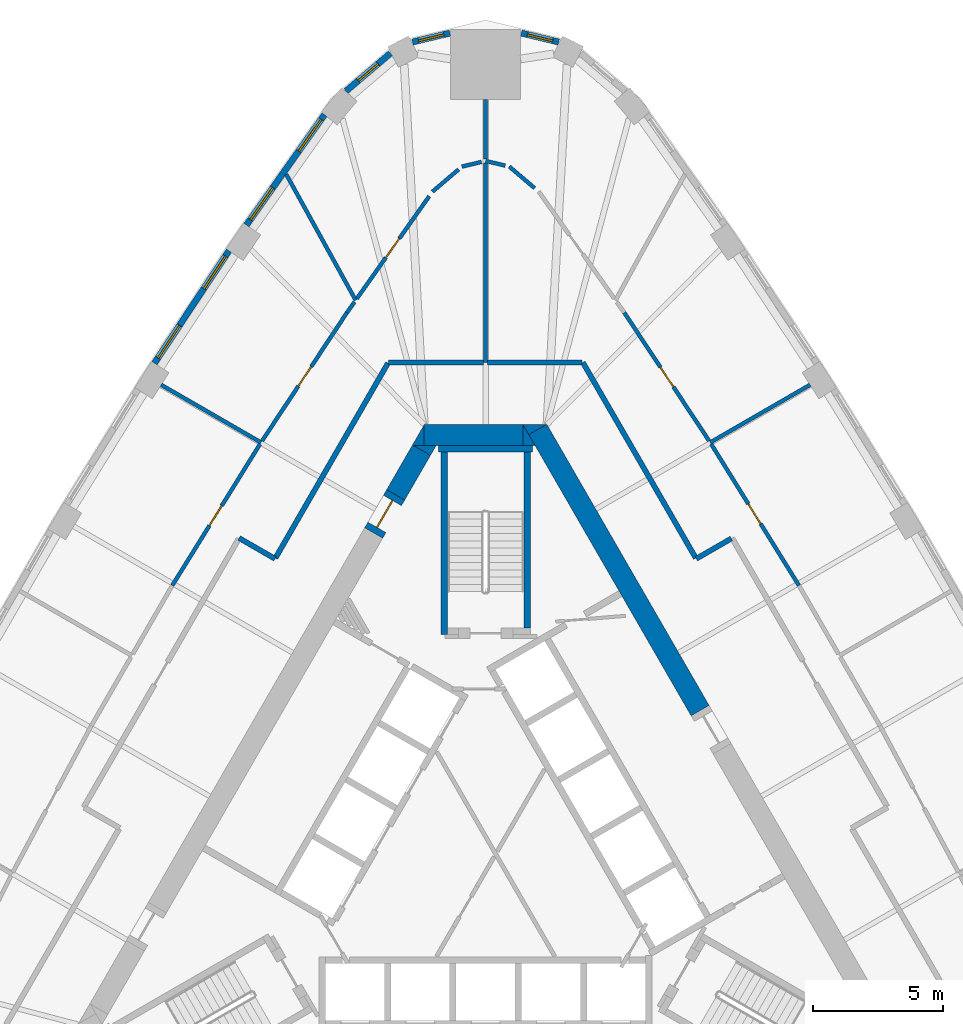
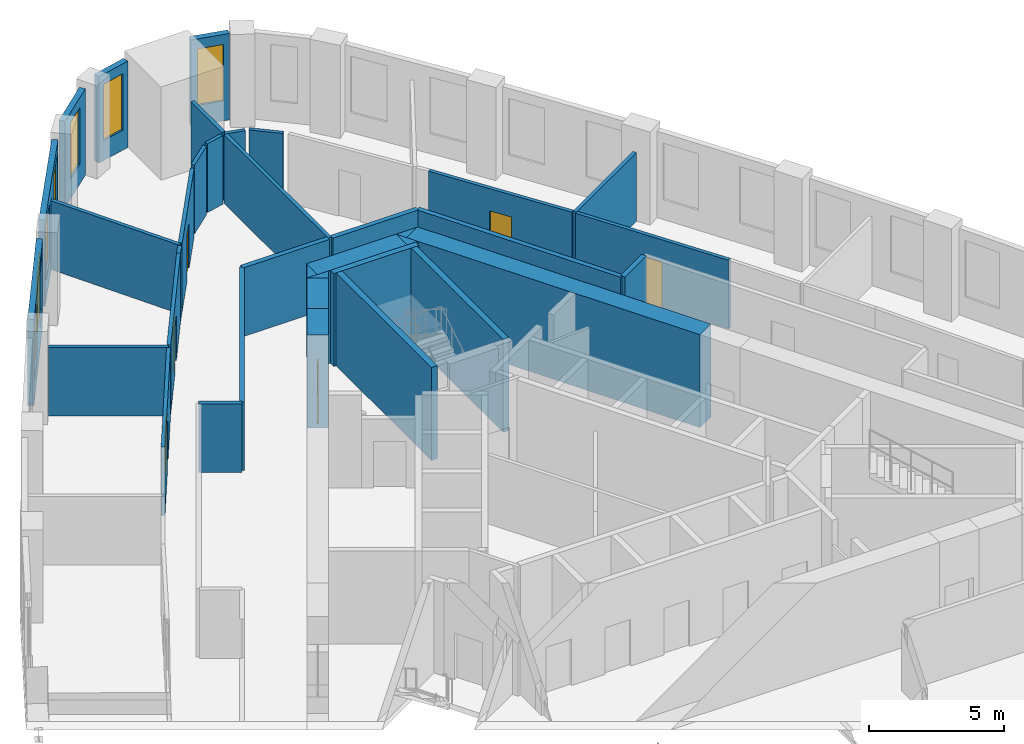
# One storey, part 8 of 10: 37 walls, 7 windows, 6 doors, 13 openings.
"""IFC4 building model written with IfcOpenShell, lengths in metres."""

import ifcopenshell
import ifcopenshell.guid

model = None  # the IFC model being written
_history = None  # IfcOwnerHistory: only IFC2X3 demands one
_inside = {}  # id of a spatial element -> (the spatial element, [elements in it])
_under = {}  # id of a project, library or spatial element -> (it, [spatial elements below it])
_declared = {}  # id of a project -> (the project, [libraries it declares])
_typed = {}  # id of a type object -> (the type object, [elements of that type])
_made_of = {}  # id of a material, layer set ... -> (it, [elements and type objects made of it])


def new_model(schema):
    """Start an empty IFC model of exactly this schema.

    Asked for "IFC4X3", IfcOpenShell would pick the latest addendum, in which some entities
    have other attributes; the version numbers below select the first issue.
    IFC2X3 requires an IfcOwnerHistory on every rooted entity: one is made here for all.
    """
    global model, _history
    if schema == "IFC4X3":
        model = ifcopenshell.file(schema_version=(4, 3, 0, 0))
    else:
        model = ifcopenshell.file(schema=schema)
    _inside.clear()
    _under.clear()
    _declared.clear()
    _typed.clear()
    _made_of.clear()
    _history = None
    if model.schema == "IFC2X3":
        org = make("IfcOrganization", Name="unknown")
        user = make(
            "IfcPersonAndOrganization",
            ThePerson=make("IfcPerson", FamilyName="unknown"),
            TheOrganization=org,
        )
        app = make(
            "IfcApplication",
            ApplicationDeveloper=org,
            Version="unknown",
            ApplicationFullName="unknown",
            ApplicationIdentifier="unknown",
        )
        _history = make(
            "IfcOwnerHistory",
            OwningUser=user,
            OwningApplication=app,
            ChangeAction="ADDED",
            CreationDate=0,
        )
    return model


def make(cls, **values):
    """One entity of the class cls with the attributes given. An attribute that is None is left unset."""
    return model.create_entity(
        cls, **{name: value for name, value in values.items() if value is not None}
    )


def rooted(cls, **values):
    """An entity with a GlobalId (a new one), such as an element, a storey or a relation."""
    return make(cls, GlobalId=ifcopenshell.guid.new(), OwnerHistory=_history, **values)


def si_unit(unit_type, name, prefix=None):
    """IfcSIUnit, for example si_unit("LENGTHUNIT", "METRE", prefix="MILLI")."""
    return make("IfcSIUnit", UnitType=unit_type, Prefix=prefix, Name=name)


def assignment(units):
    """IfcUnitAssignment: the units of a project."""
    return None if units is None else make("IfcUnitAssignment", Units=units)


def point(xyz):
    """IfcCartesianPoint."""
    return None if xyz is None else make("IfcCartesianPoint", Coordinates=xyz)


def direction(xyz):
    """IfcDirection."""
    return None if xyz is None else make("IfcDirection", DirectionRatios=xyz)


def frame(location, z_axis=None, x_axis=None):
    """IfcAxis2Placement3D, a coordinate frame: its origin and axes. An axis left out is left unset."""
    return make(
        "IfcAxis2Placement3D",
        Location=point(location),
        Axis=direction(z_axis),
        RefDirection=direction(x_axis),
    )


def frame_2d(location, x_axis=None):
    """IfcAxis2Placement2D, a coordinate frame in the plane: its origin and x axis."""
    return make(
        "IfcAxis2Placement2D", Location=point(location), RefDirection=direction(x_axis)
    )


def origin():
    """The frame at (0, 0, 0) with its axes left unset."""
    return frame((0.0, 0.0, 0.0))


def place(relative_to, where):
    """IfcLocalPlacement: puts the frame where relative to a parent placement (None: the world)."""
    return make(
        "IfcLocalPlacement", PlacementRelTo=relative_to, RelativePlacement=where
    )


def context(
    kind, dimensions, precision=None, world=None, true_north=None, identifier=None
):
    """IfcGeometricRepresentationContext, for example the 3D "Model" context."""
    return make(
        "IfcGeometricRepresentationContext",
        ContextIdentifier=identifier,
        ContextType=kind,
        CoordinateSpaceDimension=dimensions,
        Precision=precision,
        WorldCoordinateSystem=world,
        TrueNorth=true_north,
    )


def subcontext(parent, identifier, kind, view, scale=None):
    """IfcGeometricRepresentationSubContext, for example "Body" below "Model"."""
    return make(
        "IfcGeometricRepresentationSubContext",
        ContextIdentifier=identifier,
        ContextType=kind,
        ParentContext=parent,
        TargetScale=scale,
        TargetView=view,
    )


def project(units=None, contexts=None):
    """IfcProject with its units and contexts."""
    return rooted(
        "IfcProject",
        Name="project",
        RepresentationContexts=contexts,
        UnitsInContext=assignment(units),
    )


def spatial(cls, under=None, at=None, **own):
    """A site, building, storey or space (cls), placed at a placement, below another one or the project."""
    s = rooted(cls, ObjectPlacement=at, **own)
    if under is not None:
        _under.setdefault(under.id(), (under, []))[1].append(s)
    return s


def polyline(points):
    """IfcPolyline through the points."""
    return make("IfcPolyline", Points=[point(p) for p in points])


def profile(cls, at=None, kind="AREA", **sizes):
    """A parametric profile (cls). Its sizes go by their IFC names, for example OverallWidth=200.0."""
    return make(cls, ProfileType=kind, Position=at, **sizes)


def rectangle(**sizes):
    """IfcRectangleProfileDef."""
    return profile("IfcRectangleProfileDef", **sizes)


def outline(outer, holes=None, kind="AREA"):
    """IfcArbitraryClosedProfileDef: a profile drawn as a closed curve; with holes, ...WithVoids."""
    if holes is None:
        return make("IfcArbitraryClosedProfileDef", ProfileType=kind, OuterCurve=outer)
    return make(
        "IfcArbitraryProfileDefWithVoids",
        ProfileType=kind,
        OuterCurve=outer,
        InnerCurves=holes,
    )


def extrude(swept, where, along, depth):
    """IfcExtrudedAreaSolid: the profile swept, set in the frame where, extruded along a direction by depth."""
    return make(
        "IfcExtrudedAreaSolid",
        SweptArea=swept,
        Position=where,
        ExtrudedDirection=direction(along),
        Depth=depth,
    )


def shape(context_of_items, identifier, shape_type, items):
    """IfcShapeRepresentation: the items that make up one representation, for example the "Body"."""
    return make(
        "IfcShapeRepresentation",
        ContextOfItems=context_of_items,
        RepresentationIdentifier=identifier,
        RepresentationType=shape_type,
        Items=items,
    )


def material(Name=None, Category=None):
    """IfcMaterial."""
    return make("IfcMaterial", Name=Name, Category=Category)


def layer(
    of_material, thickness, ventilated=None, Name=None, Category=None, Priority=None
):
    """IfcMaterialLayer: one layer of a wall or slab, of a material (None: an air gap)."""
    return make(
        "IfcMaterialLayer",
        Material=of_material,
        LayerThickness=thickness,
        IsVentilated=ventilated,
        Name=Name,
        Category=Category,
        Priority=Priority,
    )


def layer_set(layers, Name=None):
    """IfcMaterialLayerSet."""
    return make("IfcMaterialLayerSet", MaterialLayers=layers, LayerSetName=Name)


def made_of(thing, what):
    """Note that an element or type object is made of a material, layer set ...; save() writes the relation."""
    if what is not None:
        _made_of.setdefault(what.id(), (what, []))[1].append(thing)
    return thing


def type_object(cls, material=None, **own):
    """A type object (cls), such as IfcWallType, which elements share."""
    return made_of(rooted(cls, **own), material)


def element(
    cls,
    number,
    at=None,
    inside=None,
    cuts=None,
    type_object=None,
    material=None,
    context=None,
    identifier="Body",
    shape_type=None,
    held_by="IfcProductDefinitionShape",
    body=None,
    shapes=None,
    **own,
):
    """One element of the class cls, such as IfcWall. Its Tag is "e" and its number.

    at: its placement. inside: the storey or other place that contains it. cuts: it is an
    opening in that element (IfcRelVoidsElement). A single representation is given by context,
    identifier, shape_type and body (its items); several are given by shapes. held_by: the class
    of the entity that holds the representations. save() writes the other relations.
    """
    e = rooted(cls, Tag="e%d" % number, ObjectPlacement=at, **own)
    if body is not None:
        shapes = [shape(context, identifier, shape_type, body)]
    if shapes is not None:
        e.Representation = make(held_by, Representations=shapes)
    if inside is not None:
        _inside.setdefault(inside.id(), (inside, []))[1].append(e)
    if cuts is not None:
        rooted(
            "IfcRelVoidsElement", RelatingBuildingElement=cuts, RelatedOpeningElement=e
        )
    if type_object is not None:
        _typed.setdefault(type_object.id(), (type_object, []))[1].append(e)
    return made_of(e, material)


def fill(opening, filler):
    """IfcRelFillsElement: the door or window that sits in an opening."""
    return rooted(
        "IfcRelFillsElement",
        RelatingOpeningElement=opening,
        RelatedBuildingElement=filler,
    )


def aggregate(whole, parts):
    """IfcRelAggregates: a whole, such as a stair, and the parts it consists of."""
    return rooted("IfcRelAggregates", RelatingObject=whole, RelatedObjects=parts)


def save(model, path):
    """Write the relations noted so far, then the file.

    IfcRelAggregates (storeys below a building ...), IfcRelContainedInSpatialStructure (elements
    in a storey), IfcRelDefinesByType, IfcRelAssociatesMaterial and IfcRelDeclares: one each for
    every whole, place, type object, material and project.
    """
    for whole, parts in _under.values():
        aggregate(whole, parts)
    for where, things in _inside.values():
        rooted(
            "IfcRelContainedInSpatialStructure",
            RelatedElements=things,
            RelatingStructure=where,
        )
    for kind, things in _typed.values():
        rooted("IfcRelDefinesByType", RelatedObjects=things, RelatingType=kind)
    for what, things in _made_of.values():
        rooted("IfcRelAssociatesMaterial", RelatedObjects=things, RelatingMaterial=what)
    for by, libraries in _declared.values():
        rooted("IfcRelDeclares", RelatingContext=by, RelatedDefinitions=libraries)
    model.write(path)


model = new_model("IFC4")

# Units and contexts
model_context = context("Model", 3, precision=1e-05, world=origin(), true_north=direction((0.0, 1.0)))
body_context = subcontext(model_context, "Body", "Model", "MODEL_VIEW")
ifc_project = project(units=[si_unit("LENGTHUNIT", "METRE"), si_unit("AREAUNIT", "SQUARE_METRE"), si_unit("VOLUMEUNIT", "CUBIC_METRE"), si_unit("PLANEANGLEUNIT", "RADIAN"), si_unit("MASSUNIT", "GRAM", prefix="KILO")], contexts=[model_context])

# Site, building, storey
site_placement = place(None, origin())
site = spatial("IfcSite", under=ifc_project, at=site_placement, CompositionType="ELEMENT")
building_placement = place(site_placement, origin())
building = spatial("IfcBuilding", under=site, at=building_placement, Name="Mestral Congress Tower", CompositionType="ELEMENT")
storey_placement = place(building_placement, frame((0.0, 0.0, 192.0)))
storey = spatial("IfcBuildingStorey", under=building, at=storey_placement, Name="L45", CompositionType="ELEMENT", Elevation=192.0)

# Walls
ifc_material_1 = material(Name="Concrete C60/75", Category="concrete")
ifc_layer_1 = layer(ifc_material_1, 0.800048828125)
ifc_layer_set_1 = layer_set([ifc_layer_1], Name="Concrete C60/75")
wall_type_1 = type_object("IfcWallType", Name="Core wall RC 800", PredefinedType="SOLIDWALL", material=ifc_layer_set_1)
wall_1_placement = place(storey_placement, frame((8.278564453125, 5.76123046875, 0.0), z_axis=(0.0, 0.0, 1.0), x_axis=(-0.500010359015, 0.866019422922, 0.0)))
element("IfcWall", 1, at=wall_1_placement, inside=storey, type_object=wall_type_1, Name="L45 core wall", PredefinedType="SOLIDWALL", context=body_context, shape_type="SweptSolid", body=[
    extrude(rectangle(XDim=12.527587890625, YDim=0.800048828125, at=frame_2d((6.263671875, 0.0))), origin(), (0.0, 0.0, 1.0), 4.199951171875),
])
placement = place(storey_placement, origin())
element("IfcWall", 2, at=placement, inside=storey, type_object=wall_type_1, Name="L45 core wall", PredefinedType="SOLIDWALL", context=body_context, shape_type="SweptSolid", body=[
    extrude(outline(polyline([(1.443359375, 16.800048828125), (2.33935546875, 16.800048828125), (1.667236328125, 16.412109375), (1.443359375, 16.800048828125)])), origin(), (0.0, 0.0, 1.0), 4.199951171875),
])
wall_3_placement = place(storey_placement, frame((-2.37890625, 16.39990234375, 0.0), z_axis=(0.0, 0.0, 1.0), x_axis=(1.0, 0.0, 0.0)))
element("IfcWall", 3, at=wall_3_placement, inside=storey, type_object=wall_type_1, Name="L45 core wall", PredefinedType="SOLIDWALL", context=body_context, shape_type="SweptSolid", body=[
    extrude(rectangle(XDim=3.82421875, YDim=0.800048828125, at=frame_2d((1.912109375, 0.0))), origin(), (0.0, 0.0, 1.0), 4.199951171875),
])
element("IfcWall", 4, at=placement, inside=storey, type_object=wall_type_1, Name="L45 core wall", PredefinedType="SOLIDWALL", context=body_context, shape_type="SweptSolid", body=[
    extrude(outline(polyline([(1.9052734375, 16.0), (1.447265625, 16.0), (1.447265625, 16.793212890625), (1.9052734375, 16.0)])), origin(), (0.0, 0.0, 1.0), 4.199951171875),
])
element("IfcWall", 5, at=placement, inside=storey, type_object=wall_type_1, Name="L45 core wall", PredefinedType="SOLIDWALL", context=body_context, shape_type="SweptSolid", body=[
    extrude(outline(polyline([(-2.8291015625, 16.0), (-2.381103515625, 16.77587890625), (-2.381103515625, 16.0), (-2.8291015625, 16.0)])), origin(), (0.0, 0.0, 1.0), 4.199951171875),
])
wall_6_placement = place(storey_placement, frame((-2.476806640625, 15.810302734375, 0.0), z_axis=(0.0, 0.0, 1.0), x_axis=(-0.499903161488, -0.866081306307, 0.0)))
element("IfcWall", 6, at=wall_6_placement, inside=storey, type_object=wall_type_1, Name="L45 core wall", PredefinedType="SOLIDWALL", context=body_context, shape_type="SweptSolid", body=[
    extrude(rectangle(XDim=1.98828125, YDim=0.800048828125, at=frame_2d((0.994140625, 0.0))), origin(), (0.0, 0.0, 1.0), 4.199951171875),
])
element("IfcWall", 7, at=placement, inside=storey, type_object=wall_type_1, Name="L45 core wall", PredefinedType="SOLIDWALL", context=body_context, shape_type="SweptSolid", body=[
    extrude(outline(polyline([(-1.9052734375, 16.0), (-2.12939453125, 15.612060546875), (-2.80126953125, 16.0), (-1.9052734375, 16.0)])), origin(), (0.0, 0.0, 1.0), 4.199951171875),
])

# Wall, opening, door
wall_8_placement = place(storey_placement, frame((-4.32080078125, 12.615966796875, 0.0), z_axis=(0.0, 0.0, 1.0), x_axis=(0.499892348375, 0.866087547558, 0.0)))
wall_8 = element("IfcWall", 8, at=wall_8_placement, inside=storey, type_object=wall_type_1, Name="L45 door wall", PredefinedType="SOLIDWALL", context=body_context, shape_type="SweptSolid", body=[
    extrude(rectangle(XDim=1.699951171875, YDim=0.800048828125, at=frame_2d((0.85009765625, 0.0))), origin(), (0.0, 0.0, 1.0), 4.199951171875),
])
opening_1_placement = place(wall_8_placement, frame((0.25, 0.0, 0.0)))
opening_1 = element("IfcOpeningElement", 9, at=opening_1_placement, cuts=wall_8, Name="Opening XD2", PredefinedType="OPENING", context=body_context, shape_type="SweptSolid", body=[
    extrude(rectangle(XDim=1.199951171875, YDim=2.10009765625, at=frame_2d((0.60009765625, 1.050048828125))), frame((0.0, 0.409912109375, 0.0), z_axis=(0.0, -1.0, 0.0), x_axis=(1.0, 0.0, 0.0)), (0.0, 0.0, 1.0), 0.820068359375),
])
ifc_material_2 = material(Name="Fire-rated steel door set", Category="steel")
door_type_1 = type_object("IfcDoorType", Name="Core door XD 1200x2100", OperationType="SINGLE_SWING_LEFT", PredefinedType="DOOR", material=ifc_material_2)
door_1_placement = place(opening_1_placement, origin())
door_1 = element("IfcDoor", 10, at=door_1_placement, inside=storey, type_object=door_type_1, Name="Door XD2", OperationType="SINGLE_SWING_LEFT", OverallHeight=2.10009765625, OverallWidth=1.199951171875, PredefinedType="DOOR", context=body_context, shape_type="SweptSolid", body=[
    extrude(rectangle(XDim=1.199951171875, YDim=2.10009765625, at=frame_2d((0.60009765625, 1.050048828125))), frame((0.0, 0.02490234375, 0.0), z_axis=(0.0, -1.0, 0.0), x_axis=(1.0, 0.0, 0.0)), (0.0, 0.0, 1.0), 0.050048828125),
])
fill(opening_1, door_1)

# Wall, opening, window
ifc_material_3 = material(Name="Precast concrete C40/50 with limestone facing", Category="masonry")
ifc_layer_2 = layer(ifc_material_3, 0.239990234375)
ifc_layer_set_2 = layer_set([ifc_layer_2], Name="Precast concrete C40/50 with limestone facing")
wall_type_2 = type_object("IfcWallType", Name="Facade stone wall 240", PredefinedType="SOLIDWALL", material=ifc_layer_set_2)
wall_9_placement = place(storey_placement, frame((2.821044921875, 31.56640625, 0.0), z_axis=(0.0, 0.0, 1.0), x_axis=(-0.972479955788, 0.232986556673, 0.0)))
wall_9 = element("IfcWall", 11, at=wall_9_placement, inside=storey, type_object=wall_type_2, Name="Facade wall K1-1", PredefinedType="SOLIDWALL", context=body_context, shape_type="SweptSolid", body=[
    extrude(rectangle(XDim=1.481689453125, YDim=0.239990234375, at=frame_2d((0.74072265625, 0.0))), origin(), (0.0, 0.0, 1.0), 3.89990234375),
])
opening_2_placement = place(wall_9_placement, frame((0.24072265625, 0.0, 0.89990234375)))
opening_2 = element("IfcOpeningElement", 12, at=opening_2_placement, cuts=wall_9, Name="Opening W5", PredefinedType="OPENING", context=body_context, shape_type="SweptSolid", body=[
    extrude(rectangle(XDim=1.0, YDim=2.550048828125, at=frame_2d((0.5, 1.27490234375))), frame((0.0, 0.1298828125, 0.0), z_axis=(0.0, -1.0, 0.0), x_axis=(1.0, 0.0, 0.0)), (0.0, 0.0, 1.0), 0.260009765625),
])
ifc_material_4 = material(Name="Clear low-emissivity double glazing", Category="glass")
window_type_1 = type_object("IfcWindowType", Name="Facade punched window 1000 x 2550 sill 900", PartitioningType="SINGLE_PANEL", PredefinedType="WINDOW", material=ifc_material_4)
window_1_placement = place(opening_2_placement, origin())
window_1 = element("IfcWindow", 13, at=window_1_placement, inside=storey, type_object=window_type_1, Name="Window K1-1", OverallHeight=2.550048828125, OverallWidth=1.0, PartitioningType="SINGLE_PANEL", PredefinedType="WINDOW", context=body_context, shape_type="SweptSolid", body=[
    extrude(rectangle(XDim=1.0, YDim=2.550048828125, at=frame_2d((0.5, 1.27490234375))), frame((0.0, 0.0400390625, 0.0), z_axis=(0.0, -1.0, 0.0), x_axis=(1.0, 0.0, 0.0)), (0.0, 0.0, 1.0), 0.06005859375),
])
fill(opening_2, window_1)

wall_10_placement = place(storey_placement, frame((-1.380126953125, 31.91162109375, 0.0), z_axis=(0.0, 0.0, 1.0), x_axis=(-0.972479955788, -0.232986556673, 0.0)))
wall_10 = element("IfcWall", 14, at=wall_10_placement, inside=storey, type_object=wall_type_2, Name="Facade wall K1-2", PredefinedType="SOLIDWALL", context=body_context, shape_type="SweptSolid", body=[
    extrude(rectangle(XDim=1.481689453125, YDim=0.239990234375, at=frame_2d((0.74072265625, 0.0))), origin(), (0.0, 0.0, 1.0), 3.89990234375),
])
opening_3_placement = place(wall_10_placement, frame((0.24072265625, 0.0, 0.89990234375)))
opening_3 = element("IfcOpeningElement", 15, at=opening_3_placement, cuts=wall_10, Name="Opening W5", PredefinedType="OPENING", context=body_context, shape_type="SweptSolid", body=[
    extrude(rectangle(XDim=1.0, YDim=2.550048828125, at=frame_2d((0.5, 1.27490234375))), frame((0.0, 0.1298828125, 0.0), z_axis=(0.0, -1.0, 0.0), x_axis=(1.0, 0.0, 0.0)), (0.0, 0.0, 1.0), 0.260009765625),
])
window_2_placement = place(opening_3_placement, origin())
window_2 = element("IfcWindow", 16, at=window_2_placement, inside=storey, type_object=window_type_1, Name="Window K1-2", OverallHeight=2.550048828125, OverallWidth=1.0, PartitioningType="SINGLE_PANEL", PredefinedType="WINDOW", context=body_context, shape_type="SweptSolid", body=[
    extrude(rectangle(XDim=1.0, YDim=2.550048828125, at=frame_2d((0.5, 1.27490234375))), frame((0.0, 0.0400390625, 0.0), z_axis=(0.0, -1.0, 0.0), x_axis=(1.0, 0.0, 0.0)), (0.0, 0.0, 1.0), 0.06005859375),
])
fill(opening_3, window_2)

wall_11_placement = place(storey_placement, frame((-3.67822265625, 31.130859375, 0.0), z_axis=(0.0, 0.0, 1.0), x_axis=(-0.761419744247, -0.648259186645, 0.0)))
wall_11 = element("IfcWall", 17, at=wall_11_placement, inside=storey, type_object=wall_type_2, Name="Facade wall K1-3", PredefinedType="SOLIDWALL", context=body_context, shape_type="SweptSolid", body=[
    extrude(rectangle(XDim=2.250244140625, YDim=0.239990234375, at=frame_2d((1.125, 0.0))), origin(), (0.0, 0.0, 1.0), 3.89990234375),
])
opening_4_placement = place(wall_11_placement, frame((0.625244140625, 0.0, 0.89990234375)))
opening_4 = element("IfcOpeningElement", 18, at=opening_4_placement, cuts=wall_11, Name="Opening W5", PredefinedType="OPENING", context=body_context, shape_type="SweptSolid", body=[
    extrude(rectangle(XDim=1.0, YDim=2.550048828125, at=frame_2d((0.5, 1.27490234375))), frame((0.0, 0.1298828125, 0.0), z_axis=(0.0, -1.0, 0.0), x_axis=(1.0, 0.0, 0.0)), (0.0, 0.0, 1.0), 0.260009765625),
])
window_3_placement = place(opening_4_placement, origin())
window_3 = element("IfcWindow", 19, at=window_3_placement, inside=storey, type_object=window_type_1, Name="Window K1-3", OverallHeight=2.550048828125, OverallWidth=1.0, PartitioningType="SINGLE_PANEL", PredefinedType="WINDOW", context=body_context, shape_type="SweptSolid", body=[
    extrude(rectangle(XDim=1.0, YDim=2.550048828125, at=frame_2d((0.5, 1.27490234375))), frame((0.0, 0.0400390625, 0.0), z_axis=(0.0, -1.0, 0.0), x_axis=(1.0, 0.0, 0.0)), (0.0, 0.0, 1.0), 0.06005859375),
])
fill(opening_4, window_3)

# Wall, openings, windows
wall_12_placement = place(storey_placement, frame((-6.22265625, 28.76171875, 0.0), z_axis=(0.0, 0.0, 1.0), x_axis=(-0.577115207679, -0.816662743772, 0.0)))
wall_12 = element("IfcWall", 20, at=wall_12_placement, inside=storey, type_object=wall_type_2, Name="Facade wall F2-00", PredefinedType="SOLIDWALL", context=body_context, shape_type="SweptSolid", body=[
    extrude(rectangle(XDim=5.213134765625, YDim=0.239990234375, at=frame_2d((2.6064453125, 0.0))), origin(), (0.0, 0.0, 1.0), 3.89990234375),
])
opening_5_placement = place(wall_12_placement, frame((0.220703125, 0.0, 0.89990234375)))
opening_5 = element("IfcOpeningElement", 21, at=opening_5_placement, cuts=wall_12, Name="Opening W4", PredefinedType="OPENING", context=body_context, shape_type="SweptSolid", body=[
    extrude(rectangle(XDim=1.5, YDim=2.550048828125, at=frame_2d((0.75, 1.27490234375))), frame((0.0, 0.1298828125, 0.0), z_axis=(0.0, -1.0, 0.0), x_axis=(1.0, 0.0, 0.0)), (0.0, 0.0, 1.0), 0.260009765625),
])
opening_6_placement = place(wall_12_placement, frame((3.452392578125, 0.0, 0.89990234375)))
opening_6 = element("IfcOpeningElement", 22, at=opening_6_placement, cuts=wall_12, Name="Opening W4", PredefinedType="OPENING", context=body_context, shape_type="SweptSolid", body=[
    extrude(rectangle(XDim=1.5, YDim=2.550048828125, at=frame_2d((0.75, 1.27490234375))), frame((0.0, 0.1298828125, 0.0), z_axis=(0.0, -1.0, 0.0), x_axis=(1.0, 0.0, 0.0)), (0.0, 0.0, 1.0), 0.260009765625),
])
window_type_2 = type_object("IfcWindowType", Name="Facade punched window 1500 x 2550 sill 900", PartitioningType="SINGLE_PANEL", PredefinedType="WINDOW", material=ifc_material_4)
window_4_placement = place(opening_5_placement, origin())
window_4 = element("IfcWindow", 23, at=window_4_placement, inside=storey, type_object=window_type_2, Name="Window F2-00a", OverallHeight=2.550048828125, OverallWidth=1.5, PartitioningType="SINGLE_PANEL", PredefinedType="WINDOW", context=body_context, shape_type="SweptSolid", body=[
    extrude(rectangle(XDim=1.5, YDim=2.550048828125, at=frame_2d((0.75, 1.27490234375))), frame((0.0, 0.0400390625, 0.0), z_axis=(0.0, -1.0, 0.0), x_axis=(1.0, 0.0, 0.0)), (0.0, 0.0, 1.0), 0.06005859375),
])
fill(opening_5, window_4)
window_5_placement = place(opening_6_placement, origin())
window_5 = element("IfcWindow", 24, at=window_5_placement, inside=storey, type_object=window_type_2, Name="Window F2-00b", OverallHeight=2.550048828125, OverallWidth=1.5, PartitioningType="SINGLE_PANEL", PredefinedType="WINDOW", context=body_context, shape_type="SweptSolid", body=[
    extrude(rectangle(XDim=1.5, YDim=2.550048828125, at=frame_2d((0.75, 1.27490234375))), frame((0.0, 0.0400390625, 0.0), z_axis=(0.0, -1.0, 0.0), x_axis=(1.0, 0.0, 0.0)), (0.0, 0.0, 1.0), 0.06005859375),
])
fill(opening_6, window_5)

wall_13_placement = place(storey_placement, frame((-9.911376953125, 23.510009765625, 0.0), z_axis=(0.0, 0.0, 1.0), x_axis=(-0.551892811511, -0.833915058386, 0.0)))
wall_13 = element("IfcWall", 25, at=wall_13_placement, inside=storey, type_object=wall_type_2, Name="Facade wall F2-01", PredefinedType="SOLIDWALL", context=body_context, shape_type="SweptSolid", body=[
    extrude(rectangle(XDim=5.20361328125, YDim=0.239990234375, at=frame_2d((2.601806640625, 0.0))), origin(), (0.0, 0.0, 1.0), 3.89990234375),
])
opening_7_placement = place(wall_13_placement, frame((0.248291015625, 0.0, 0.89990234375)))
opening_7 = element("IfcOpeningElement", 26, at=opening_7_placement, cuts=wall_13, Name="Opening W4", PredefinedType="OPENING", context=body_context, shape_type="SweptSolid", body=[
    extrude(rectangle(XDim=1.5, YDim=2.550048828125, at=frame_2d((0.75, 1.27490234375))), frame((0.0, 0.1298828125, 0.0), z_axis=(0.0, -1.0, 0.0), x_axis=(1.0, 0.0, 0.0)), (0.0, 0.0, 1.0), 0.260009765625),
])
opening_8_placement = place(wall_13_placement, frame((3.455078125, 0.0, 0.89990234375)))
opening_8 = element("IfcOpeningElement", 27, at=opening_8_placement, cuts=wall_13, Name="Opening W4", PredefinedType="OPENING", context=body_context, shape_type="SweptSolid", body=[
    extrude(rectangle(XDim=1.5, YDim=2.550048828125, at=frame_2d((0.75, 1.27490234375))), frame((0.0, 0.1298828125, 0.0), z_axis=(0.0, -1.0, 0.0), x_axis=(1.0, 0.0, 0.0)), (0.0, 0.0, 1.0), 0.260009765625),
])
window_6_placement = place(opening_7_placement, origin())
window_6 = element("IfcWindow", 28, at=window_6_placement, inside=storey, type_object=window_type_2, Name="Window F2-01a", OverallHeight=2.550048828125, OverallWidth=1.5, PartitioningType="SINGLE_PANEL", PredefinedType="WINDOW", context=body_context, shape_type="SweptSolid", body=[
    extrude(rectangle(XDim=1.5, YDim=2.550048828125, at=frame_2d((0.75, 1.27490234375))), frame((0.0, 0.0400390625, 0.0), z_axis=(0.0, -1.0, 0.0), x_axis=(1.0, 0.0, 0.0)), (0.0, 0.0, 1.0), 0.06005859375),
])
fill(opening_7, window_6)
window_7_placement = place(opening_8_placement, origin())
window_7 = element("IfcWindow", 29, at=window_7_placement, inside=storey, type_object=window_type_2, Name="Window F2-01b", OverallHeight=2.550048828125, OverallWidth=1.5, PartitioningType="SINGLE_PANEL", PredefinedType="WINDOW", context=body_context, shape_type="SweptSolid", body=[
    extrude(rectangle(XDim=1.5, YDim=2.550048828125, at=frame_2d((0.75, 1.27490234375))), frame((0.0, 0.0400390625, 0.0), z_axis=(0.0, -1.0, 0.0), x_axis=(1.0, 0.0, 0.0)), (0.0, 0.0, 1.0), 0.06005859375),
])
fill(opening_8, window_7)

# Wall
ifc_material_5 = material(Name="Plasterboard partition on steel studs", Category="steel")
ifc_layer_3 = layer(ifc_material_5, 0.14990234375)
ifc_layer_set_3 = layer_set([ifc_layer_3], Name="Plasterboard partition on steel studs")
wall_type_3 = type_object("IfcWallType", Name="Office partition 150", PredefinedType="PARTITIONING", material=ifc_layer_set_3)
wall_14_placement = place(storey_placement, frame((8.6689453125, 16.110107421875, 0.0), z_axis=(0.0, 0.0, 1.0), x_axis=(0.866019272134, 0.50001062018, 0.0)))
element("IfcWall", 30, at=wall_14_placement, inside=storey, type_object=wall_type_3, Name="Partition", PredefinedType="PARTITIONING", context=body_context, shape_type="SweptSolid", body=[
    extrude(rectangle(XDim=4.44921875, YDim=0.14990234375, at=frame_2d((2.224609375, 0.0))), origin(), (0.0, 0.0, 1.0), 3.10009765625),
])

# Wall, opening, door
wall_15_placement = place(storey_placement, frame((8.70849609375, 16.04638671875, 0.0), z_axis=(0.0, 0.0, 1.0), x_axis=(0.527179193015, -0.849754140003, 0.0)))
wall_15 = element("IfcWall", 31, at=wall_15_placement, inside=storey, type_object=wall_type_3, Name="Partition", PredefinedType="PARTITIONING", context=body_context, shape_type="SweptSolid", body=[
    extrude(rectangle(XDim=6.419677734375, YDim=0.14990234375, at=frame_2d((3.2099609375, 0.0))), origin(), (0.0, 0.0, 1.0), 3.10009765625),
])
opening_9_placement = place(wall_15_placement, frame((2.719482421875, 0.0, 0.0)))
opening_9 = element("IfcOpeningElement", 32, at=opening_9_placement, cuts=wall_15, Name="Opening O05-007", PredefinedType="OPENING", context=body_context, shape_type="SweptSolid", body=[
    extrude(rectangle(XDim=0.89990234375, YDim=2.10009765625, at=frame_2d((0.449951171875, 1.050048828125))), frame((0.0, 0.0849609375, 0.0), z_axis=(0.0, -1.0, 0.0), x_axis=(1.0, 0.0, 0.0)), (0.0, 0.0, 1.0), 0.169921875),
])
ifc_material_6 = material(Name="Timber door set", Category="wood")
door_type_2 = type_object("IfcDoorType", Name="Office door 900x2100", OperationType="SINGLE_SWING_LEFT", PredefinedType="DOOR", material=ifc_material_6)
door_2_placement = place(opening_9_placement, origin())
door_2 = element("IfcDoor", 33, at=door_2_placement, inside=storey, type_object=door_type_2, Name="Door O05-007", OperationType="SINGLE_SWING_LEFT", OverallHeight=2.10009765625, OverallWidth=0.89990234375, PredefinedType="DOOR", context=body_context, shape_type="SweptSolid", body=[
    extrude(rectangle(XDim=0.89990234375, YDim=2.10009765625, at=frame_2d((0.449951171875, 1.050048828125))), frame((0.0, 0.02490234375, 0.0), z_axis=(0.0, -1.0, 0.0), x_axis=(1.0, 0.0, 0.0)), (0.0, 0.0, 1.0), 0.050048828125),
])
fill(opening_9, door_2)

wall_16_placement = place(storey_placement, frame((5.352294921875, 21.121337890625, 0.0), z_axis=(0.0, 0.0, 1.0), x_axis=(0.551896352686, -0.833912714792, 0.0)))
wall_16 = element("IfcWall", 34, at=wall_16_placement, inside=storey, type_object=wall_type_3, Name="Partition", PredefinedType="PARTITIONING", context=body_context, shape_type="SweptSolid", body=[
    extrude(rectangle(XDim=5.934326171875, YDim=0.14990234375, at=frame_2d((2.96728515625, 0.0))), origin(), (0.0, 0.0, 1.0), 3.10009765625),
])
opening_10_placement = place(wall_16_placement, frame((2.5341796875, 0.0, 0.0)))
opening_10 = element("IfcOpeningElement", 35, at=opening_10_placement, cuts=wall_16, Name="Opening O05-008", PredefinedType="OPENING", context=body_context, shape_type="SweptSolid", body=[
    extrude(rectangle(XDim=0.89990234375, YDim=2.10009765625, at=frame_2d((0.449951171875, 1.050048828125))), frame((0.0, 0.0849609375, 0.0), z_axis=(0.0, -1.0, 0.0), x_axis=(1.0, 0.0, 0.0)), (0.0, 0.0, 1.0), 0.169921875),
])
door_3_placement = place(opening_10_placement, origin())
door_3 = element("IfcDoor", 36, at=door_3_placement, inside=storey, type_object=door_type_2, Name="Door O05-008", OperationType="SINGLE_SWING_RIGHT", OverallHeight=2.10009765625, OverallWidth=0.89990234375, PredefinedType="DOOR", context=body_context, shape_type="SweptSolid", body=[
    extrude(rectangle(XDim=0.89990234375, YDim=2.10009765625, at=frame_2d((0.449951171875, 1.050048828125))), frame((0.0, 0.02490234375, 0.0), z_axis=(0.0, -1.0, 0.0), x_axis=(1.0, 0.0, 0.0)), (0.0, 0.0, 1.0), 0.050048828125),
])
fill(opening_10, door_3)

# Walls
wall_17_placement = place(storey_placement, frame((1.889892578125, 25.928955078125, 0.0), z_axis=(0.0, 0.0, 1.0), x_axis=(-0.761368905571, 0.648318895012, 0.0)))
element("IfcWall", 37, at=wall_17_placement, inside=storey, type_object=wall_type_3, Name="Partition", PredefinedType="PARTITIONING", context=body_context, shape_type="SweptSolid", body=[
    extrude(rectangle(XDim=1.278564453125, YDim=0.14990234375, at=frame_2d((0.63916015625, 0.0))), origin(), (0.0, 0.0, 1.0), 3.10009765625),
])
wall_18_placement = place(storey_placement, frame((0.755615234375, 26.79638671875, 0.0), z_axis=(0.0, 0.0, 1.0), x_axis=(-0.972515505601, 0.232838122666, 0.0)))
element("IfcWall", 38, at=wall_18_placement, inside=storey, type_object=wall_type_3, Name="Partition", PredefinedType="PARTITIONING", context=body_context, shape_type="SweptSolid", body=[
    extrude(rectangle(XDim=0.77685546875, YDim=0.14990234375, at=frame_2d((0.388427734375, 0.0))), origin(), (0.0, 0.0, 1.0), 3.10009765625),
])
wall_19_placement = place(storey_placement, frame((0.0, 27.054443359375, 0.0), z_axis=(0.0, 0.0, 1.0), x_axis=(0.0, 1.0, 0.0)))
element("IfcWall", 39, at=wall_19_placement, inside=storey, type_object=wall_type_3, Name="Partition", PredefinedType="PARTITIONING", context=body_context, shape_type="SweptSolid", body=[
    extrude(rectangle(XDim=2.2998046875, YDim=0.14990234375, at=frame_2d((1.14990234375, 0.0))), origin(), (0.0, 0.0, 1.0), 3.10009765625),
])
wall_20_placement = place(storey_placement, frame((0.0, 19.199951171875, 0.0), z_axis=(0.0, 0.0, 1.0), x_axis=(0.0, 1.0, 0.0)))
element("IfcWall", 40, at=wall_20_placement, inside=storey, type_object=wall_type_3, Name="Partition", PredefinedType="PARTITIONING", context=body_context, shape_type="SweptSolid", body=[
    extrude(rectangle(XDim=7.7001953125, YDim=0.14990234375, at=frame_2d((3.85009765625, 0.0))), origin(), (0.0, 0.0, 1.0), 3.10009765625),
])
wall_21_placement = place(storey_placement, frame((-5.014404296875, 21.599365234375, 0.0), z_axis=(0.0, 0.0, 1.0), x_axis=(-0.483014624036, 0.875612284614, 0.0)))
element("IfcWall", 41, at=wall_21_placement, inside=storey, type_object=wall_type_3, Name="Partition", PredefinedType="PARTITIONING", context=body_context, shape_type="SweptSolid", body=[
    extrude(rectangle(XDim=5.556884765625, YDim=0.14990234375, at=frame_2d((2.7783203125, 0.0))), origin(), (0.0, 0.0, 1.0), 3.10009765625),
])
wall_22_placement = place(storey_placement, frame((-0.160888671875, 26.938720703125, 0.0), z_axis=(0.0, 0.0, 1.0), x_axis=(-0.972515505601, -0.232838122666, 0.0)))
element("IfcWall", 42, at=wall_22_placement, inside=storey, type_object=wall_type_3, Name="Partition", PredefinedType="PARTITIONING", context=body_context, shape_type="SweptSolid", body=[
    extrude(rectangle(XDim=0.77685546875, YDim=0.14990234375, at=frame_2d((0.388427734375, 0.0))), origin(), (0.0, 0.0, 1.0), 3.10009765625),
])
wall_23_placement = place(storey_placement, frame((-1.04248046875, 26.650390625, 0.0), z_axis=(0.0, 0.0, 1.0), x_axis=(-0.761485303115, -0.648182175888, 0.0)))
element("IfcWall", 43, at=wall_23_placement, inside=storey, type_object=wall_type_3, Name="Partition", PredefinedType="PARTITIONING", context=body_context, shape_type="SweptSolid", body=[
    extrude(rectangle(XDim=1.327392578125, YDim=0.14990234375, at=frame_2d((0.66357421875, 0.0))), origin(), (0.0, 0.0, 1.0), 3.10009765625),
])

# Wall, opening, door
wall_24_placement = place(storey_placement, frame((-4.96630859375, 21.66748046875, 0.0), z_axis=(0.0, 0.0, 1.0), x_axis=(0.577107482578, 0.816668202854, 0.0)))
wall_24 = element("IfcWall", 44, at=wall_24_placement, inside=storey, type_object=wall_type_3, Name="Partition", PredefinedType="PARTITIONING", context=body_context, shape_type="SweptSolid", body=[
    extrude(rectangle(XDim=4.833740234375, YDim=0.14990234375, at=frame_2d((2.4169921875, 0.0))), origin(), (0.0, 0.0, 1.0), 3.10009765625),
])
opening_11_placement = place(wall_24_placement, frame((1.933837890625, 0.0, 0.0)))
opening_11 = element("IfcOpeningElement", 45, at=opening_11_placement, cuts=wall_24, Name="Opening O05-011", PredefinedType="OPENING", context=body_context, shape_type="SweptSolid", body=[
    extrude(rectangle(XDim=0.89990234375, YDim=2.10009765625, at=frame_2d((0.449951171875, 1.050048828125))), frame((0.0, 0.0849609375, 0.0), z_axis=(0.0, -1.0, 0.0), x_axis=(1.0, 0.0, 0.0)), (0.0, 0.0, 1.0), 0.169921875),
])
door_4_placement = place(opening_11_placement, origin())
door_4 = element("IfcDoor", 46, at=door_4_placement, inside=storey, type_object=door_type_2, Name="Door O05-011", OperationType="SINGLE_SWING_LEFT", OverallHeight=2.10009765625, OverallWidth=0.89990234375, PredefinedType="DOOR", context=body_context, shape_type="SweptSolid", body=[
    extrude(rectangle(XDim=0.89990234375, YDim=2.10009765625, at=frame_2d((0.449951171875, 1.050048828125))), frame((0.0, 0.02490234375, 0.0), z_axis=(0.0, -1.0, 0.0), x_axis=(1.0, 0.0, 0.0)), (0.0, 0.0, 1.0), 0.050048828125),
])
fill(opening_11, door_4)

# Walls
wall_25_placement = place(storey_placement, frame((-8.6689453125, 16.110107421875, 0.0), z_axis=(0.0, 0.0, 1.0), x_axis=(-0.866019272134, 0.50001062018, 0.0)))
element("IfcWall", 47, at=wall_25_placement, inside=storey, type_object=wall_type_3, Name="Partition", PredefinedType="PARTITIONING", context=body_context, shape_type="SweptSolid", body=[
    extrude(rectangle(XDim=4.44921875, YDim=0.14990234375, at=frame_2d((2.224609375, 0.0))), origin(), (0.0, 0.0, 1.0), 3.10009765625),
])
wall_26_placement = place(storey_placement, frame((-5.0625, 21.53125, 0.0), z_axis=(0.0, 0.0, 1.0), x_axis=(-0.57727495493, -0.816549830941, 0.0)))
element("IfcWall", 48, at=wall_26_placement, inside=storey, type_object=wall_type_3, Name="Partition", PredefinedType="PARTITIONING", context=body_context, shape_type="SweptSolid", body=[
    extrude(rectangle(XDim=0.501953125, YDim=0.14990234375, at=frame_2d((0.2509765625, 0.0))), origin(), (0.0, 0.0, 1.0), 3.10009765625),
])

# Wall, opening, door
wall_27_placement = place(storey_placement, frame((-8.62744140625, 16.172607421875, 0.0), z_axis=(0.0, 0.0, 1.0), x_axis=(0.551896352686, 0.833912714792, 0.0)))
wall_27 = element("IfcWall", 49, at=wall_27_placement, inside=storey, type_object=wall_type_3, Name="Partition", PredefinedType="PARTITIONING", context=body_context, shape_type="SweptSolid", body=[
    extrude(rectangle(XDim=5.934326171875, YDim=0.14990234375, at=frame_2d((2.96728515625, 0.0))), origin(), (0.0, 0.0, 1.0), 3.10009765625),
])
opening_12_placement = place(wall_27_placement, frame((2.5341796875, 0.0, 0.0)))
opening_12 = element("IfcOpeningElement", 50, at=opening_12_placement, cuts=wall_27, Name="Opening O05-012", PredefinedType="OPENING", context=body_context, shape_type="SweptSolid", body=[
    extrude(rectangle(XDim=0.89990234375, YDim=2.10009765625, at=frame_2d((0.449951171875, 1.050048828125))), frame((0.0, 0.0849609375, 0.0), z_axis=(0.0, -1.0, 0.0), x_axis=(1.0, 0.0, 0.0)), (0.0, 0.0, 1.0), 0.169921875),
])
door_5_placement = place(opening_12_placement, origin())
door_5 = element("IfcDoor", 51, at=door_5_placement, inside=storey, type_object=door_type_2, Name="Door O05-012", OperationType="SINGLE_SWING_RIGHT", OverallHeight=2.10009765625, OverallWidth=0.89990234375, PredefinedType="DOOR", context=body_context, shape_type="SweptSolid", body=[
    extrude(rectangle(XDim=0.89990234375, YDim=2.10009765625, at=frame_2d((0.449951171875, 1.050048828125))), frame((0.0, 0.02490234375, 0.0), z_axis=(0.0, -1.0, 0.0), x_axis=(1.0, 0.0, 0.0)), (0.0, 0.0, 1.0), 0.050048828125),
])
fill(opening_12, door_5)

wall_28_placement = place(storey_placement, frame((-12.0927734375, 10.59130859375, 0.0), z_axis=(0.0, 0.0, 1.0), x_axis=(0.527179193015, 0.849754140003, 0.0)))
wall_28 = element("IfcWall", 52, at=wall_28_placement, inside=storey, type_object=wall_type_3, Name="Partition", PredefinedType="PARTITIONING", context=body_context, shape_type="SweptSolid", body=[
    extrude(rectangle(XDim=6.419677734375, YDim=0.14990234375, at=frame_2d((3.2099609375, 0.0))), origin(), (0.0, 0.0, 1.0), 3.10009765625),
])
opening_13_placement = place(wall_28_placement, frame((2.719482421875, 0.0, 0.0)))
opening_13 = element("IfcOpeningElement", 53, at=opening_13_placement, cuts=wall_28, Name="Opening O05-013", PredefinedType="OPENING", context=body_context, shape_type="SweptSolid", body=[
    extrude(rectangle(XDim=0.89990234375, YDim=2.10009765625, at=frame_2d((0.449951171875, 1.050048828125))), frame((0.0, 0.0849609375, 0.0), z_axis=(0.0, -1.0, 0.0), x_axis=(1.0, 0.0, 0.0)), (0.0, 0.0, 1.0), 0.169921875),
])
door_6_placement = place(opening_13_placement, origin())
door_6 = element("IfcDoor", 54, at=door_6_placement, inside=storey, type_object=door_type_2, Name="Door O05-013", OperationType="SINGLE_SWING_LEFT", OverallHeight=2.10009765625, OverallWidth=0.89990234375, PredefinedType="DOOR", context=body_context, shape_type="SweptSolid", body=[
    extrude(rectangle(XDim=0.89990234375, YDim=2.10009765625, at=frame_2d((0.449951171875, 1.050048828125))), frame((0.0, 0.02490234375, 0.0), z_axis=(0.0, -1.0, 0.0), x_axis=(1.0, 0.0, 0.0)), (0.0, 0.0, 1.0), 0.050048828125),
])
fill(opening_13, door_6)

# Walls
ifc_material_7 = material(Name="Dense masonry wall, plastered", Category="masonry")
ifc_layer_4 = layer(ifc_material_7, 0.199951171875)
ifc_layer_set_4 = layer_set([ifc_layer_4], Name="Dense masonry wall, plastered")
wall_type_4 = type_object("IfcWallType", Name="Office tenancy wall 200", PredefinedType="PARTITIONING", material=ifc_layer_set_4)
wall_29_placement = place(storey_placement, frame((9.488037109375, 12.40625, 0.0), z_axis=(0.0, 0.0, 1.0), x_axis=(-0.865975818674, -0.500085874098, 0.0)))
element("IfcWall", 55, at=wall_29_placement, inside=storey, type_object=wall_type_4, Name="Tenancy wall", PredefinedType="PARTITIONING", context=body_context, shape_type="SweptSolid", body=[
    extrude(rectangle(XDim=1.570068359375, YDim=0.199951171875, at=frame_2d((0.78515625, 0.0))), origin(), (0.0, 0.0, 1.0), 3.10009765625),
])
wall_30_placement = place(storey_placement, frame((8.11328125, 11.647216796875, 0.0), z_axis=(0.0, 0.0, 1.0), x_axis=(-0.500001933108, 0.866024287701, 0.0)))
element("IfcWall", 56, at=wall_30_placement, inside=storey, type_object=wall_type_4, Name="Tenancy wall", PredefinedType="PARTITIONING", context=body_context, shape_type="SweptSolid", body=[
    extrude(rectangle(XDim=8.72119140625, YDim=0.199951171875, at=frame_2d((4.360595703125, 0.0))), origin(), (0.0, 0.0, 1.0), 3.10009765625),
])
wall_31_placement = place(storey_placement, frame((3.722900390625, 19.199951171875, 0.0), z_axis=(0.0, 0.0, 1.0), x_axis=(-1.0, 0.0, 0.0)))
element("IfcWall", 57, at=wall_31_placement, inside=storey, type_object=wall_type_4, Name="Tenancy wall", PredefinedType="PARTITIONING", context=body_context, shape_type="SweptSolid", body=[
    extrude(rectangle(XDim=3.64794921875, YDim=0.199951171875, at=frame_2d((1.823974609375, 0.0))), origin(), (0.0, 0.0, 1.0), 3.10009765625),
])
wall_32_placement = place(storey_placement, frame((-8.12841796875, 11.62109375, 0.0), z_axis=(0.0, 0.0, 1.0), x_axis=(-0.866028054938, 0.499995408039, 0.0)))
element("IfcWall", 58, at=wall_32_placement, inside=storey, type_object=wall_type_4, Name="Tenancy wall", PredefinedType="PARTITIONING", context=body_context, shape_type="SweptSolid", body=[
    extrude(rectangle(XDim=1.60009765625, YDim=0.199951171875, at=frame_2d((0.800048828125, 0.0))), origin(), (0.0, 0.0, 1.0), 3.10009765625),
])
wall_33_placement = place(storey_placement, frame((-0.074951171875, 19.199951171875, 0.0), z_axis=(0.0, 0.0, 1.0), x_axis=(-1.0, 0.0, 0.0)))
element("IfcWall", 59, at=wall_33_placement, inside=storey, type_object=wall_type_4, Name="Tenancy wall", PredefinedType="PARTITIONING", context=body_context, shape_type="SweptSolid", body=[
    extrude(rectangle(XDim=3.677734375, YDim=0.199951171875, at=frame_2d((1.8388671875, 0.0))), origin(), (0.0, 0.0, 1.0), 3.10009765625),
])
wall_34_placement = place(storey_placement, frame((-3.767822265625, 19.174072265625, 0.0), z_axis=(0.0, 0.0, 1.0), x_axis=(-0.499985066967, -0.866034025203, 0.0)))
element("IfcWall", 60, at=wall_34_placement, inside=storey, type_object=wall_type_4, Name="Tenancy wall", PredefinedType="PARTITIONING", context=body_context, shape_type="SweptSolid", body=[
    extrude(rectangle(XDim=8.691162109375, YDim=0.199951171875, at=frame_2d((4.345703125, 0.0))), origin(), (0.0, 0.0, 1.0), 3.10009765625),
])
ifc_layer_5 = layer(ifc_material_1, 0.25)
ifc_layer_set_5 = layer_set([ifc_layer_5], Name="Concrete C60/75")
wall_type_5 = type_object("IfcWallType", Name="Stair wall RC 250", PredefinedType="SOLIDWALL", material=ifc_layer_set_5)
wall_35_placement = place(storey_placement, frame((-1.81689453125, 15.875, 0.0), z_axis=(0.0, 0.0, 1.0), x_axis=(1.0, 0.0, 0.0)))
element("IfcWall", 61, at=wall_35_placement, inside=storey, type_object=wall_type_5, Name="L45 core wall", PredefinedType="SOLIDWALL", context=body_context, shape_type="SweptSolid", body=[
    extrude(rectangle(XDim=3.6337890625, YDim=0.25, at=frame_2d((1.81689453125, 0.0))), origin(), (0.0, 0.0, 1.0), 4.199951171875),
])
wall_36_placement = place(storey_placement, frame((1.60009765625, 8.949951171875, 0.0), z_axis=(0.0, 0.0, 1.0), x_axis=(0.0, 1.0, 0.0)))
element("IfcWall", 62, at=wall_36_placement, inside=storey, type_object=wall_type_5, Name="L45 core wall", PredefinedType="SOLIDWALL", context=body_context, shape_type="SweptSolid", body=[
    extrude(rectangle(XDim=6.800048828125, YDim=0.25, at=frame_2d((3.39990234375, 0.0))), origin(), (0.0, 0.0, 1.0), 4.199951171875),
])
wall_37_placement = place(storey_placement, frame((-1.60009765625, 8.699951171875, 0.0), z_axis=(0.0, 0.0, 1.0), x_axis=(0.0, 1.0, 0.0)))
element("IfcWall", 63, at=wall_37_placement, inside=storey, type_object=wall_type_5, Name="L45 core wall", PredefinedType="SOLIDWALL", context=body_context, shape_type="SweptSolid", body=[
    extrude(rectangle(XDim=7.050048828125, YDim=0.25, at=frame_2d((3.52490234375, 0.0))), origin(), (0.0, 0.0, 1.0), 4.199951171875),
])

save(model, "model.ifc")
